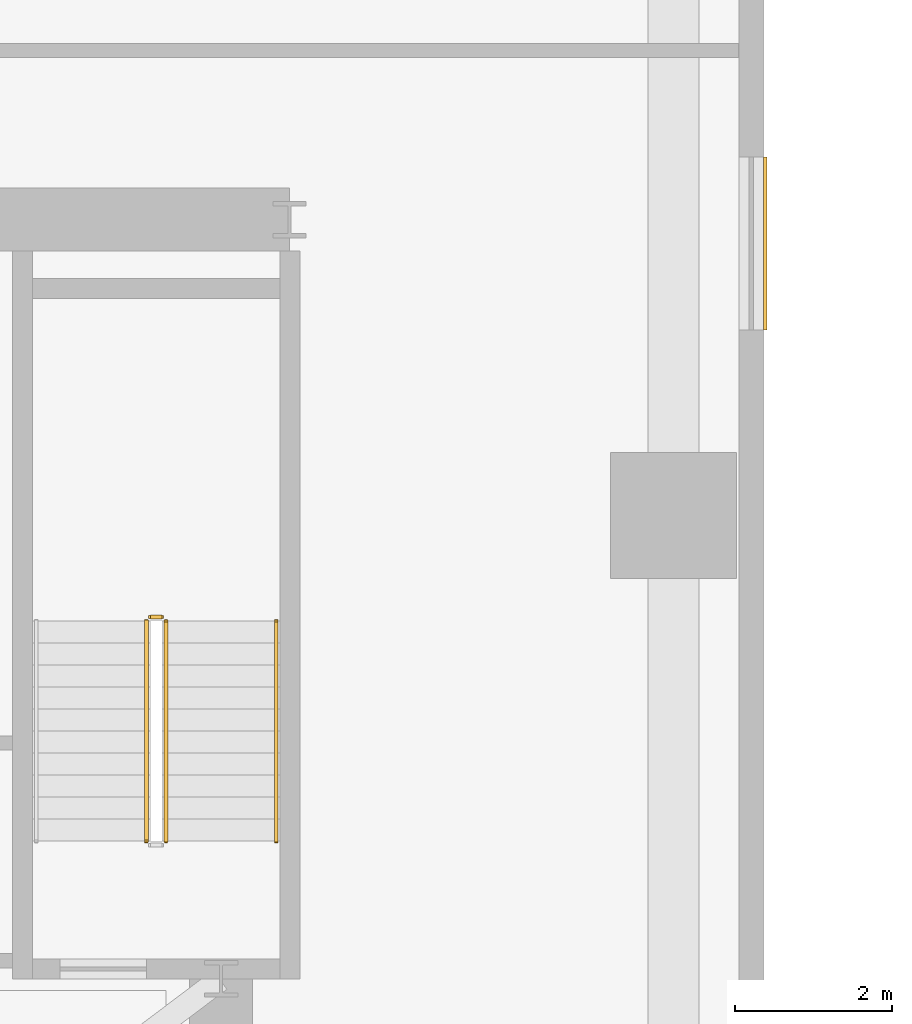
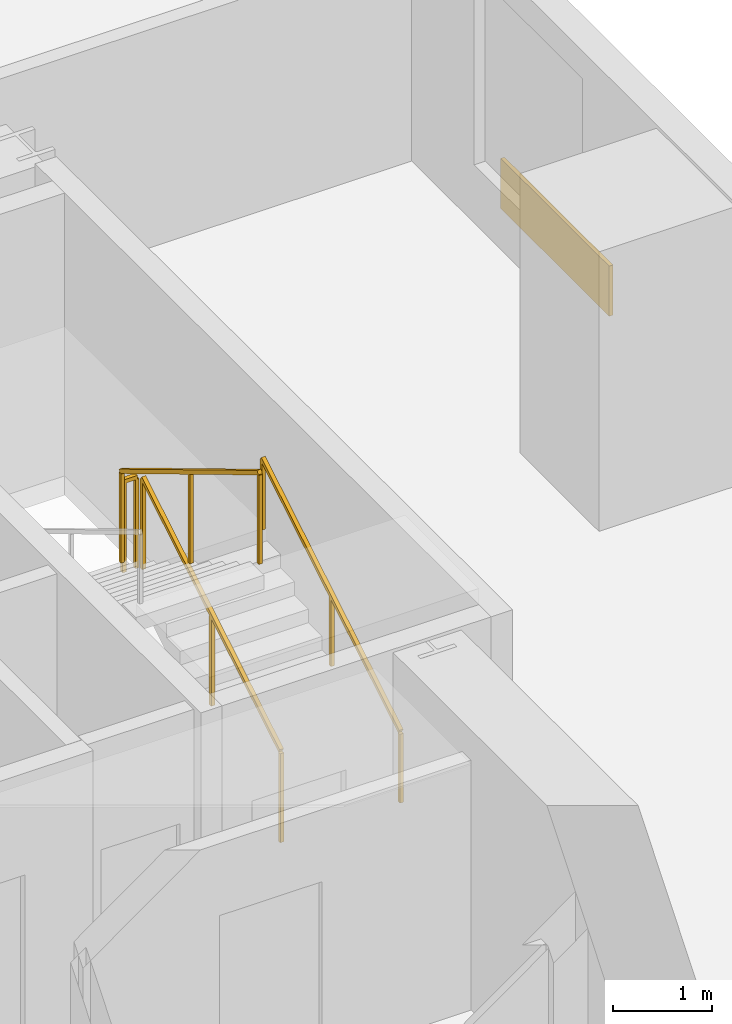
# One storey, part 14 of 14: 4 railings, 1 covering.
"""IFC4 building model written with IfcOpenShell, lengths in metres."""

from ifc_helpers import new_model, si_unit, direction, frame, origin, origin_2d, place, context, subcontext, project, spatial, rectangle, extrude, source, transform, mapped, material, layer, layer_set, type_object, element, save


model = new_model("IFC4")

# Units and contexts
model_context = context("Model", 3, precision=1e-05, world=origin(), true_north=direction((0.0, 1.0)))
body_context = subcontext(model_context, "Body", "Model", "MODEL_VIEW")
ifc_project = project(units=[si_unit("LENGTHUNIT", "METRE"), si_unit("AREAUNIT", "SQUARE_METRE"), si_unit("VOLUMEUNIT", "CUBIC_METRE"), si_unit("PLANEANGLEUNIT", "RADIAN"), si_unit("MASSUNIT", "GRAM", prefix="KILO")], contexts=[model_context])

# Site, building, storey
site_placement = place(None, origin())
site = spatial("IfcSite", under=ifc_project, at=site_placement, CompositionType="ELEMENT")
building_placement = place(site_placement, origin())
building = spatial("IfcBuilding", under=site, at=building_placement, Name="Vardaveli Station Tower", CompositionType="ELEMENT")
storey_placement = place(building_placement, frame((0.0, 0.0, 152.0)))
storey = spatial("IfcBuildingStorey", under=building, at=storey_placement, Name="L39", CompositionType="ELEMENT", Elevation=152.0)

# Covering
ifc_material_1 = material(Name="Ventilated honed travertine stone cladding", Category="masonry")
ifc_layer = layer(ifc_material_1, 0.044921875, Name="Ventilated honed travertine stone cladding")
ifc_layer_set = layer_set([ifc_layer], Name="Ventilated honed travertine stone cladding")
covering_type = type_object("IfcCoveringType", Name="COV-CLAD-TR45", PredefinedType="CLADDING", material=ifc_layer_set)
shared_shape_1 = source(origin(), body_context, "Body", "SweptSolid", [
    extrude(rectangle(XDim=2.199951171875, YDim=0.044921875, at=origin_2d()), origin(), (0.0, 0.0, 1.0), 0.6201171875),
])
covering_placement = place(storey_placement, frame((53.41455078125, 39.9951171875, 0.06982421875), z_axis=(0.0, 0.0, 1.0), x_axis=(0.0, 1.0, 0.0)))
element("IfcCovering", 1, at=covering_placement, inside=storey, type_object=covering_type, Name="CLD-TR-L39-E", PredefinedType="CLADDING", context=body_context, shape_type="MappedRepresentation", body=[
    mapped(shared_shape_1, transform((0.0, 0.0, 0.0), scale=1.0)),
])

# Railings
ifc_material_2 = material(Name="Brushed AISI 316 stainless steel", Category="steel")
railing_type_1 = type_object("IfcRailingType", Name="RL-GUARD-1150", PredefinedType="GUARDRAIL", material=ifc_material_2)
shared_shape_2 = source(origin(), body_context, "Body", "SweptSolid", [
    extrude(rectangle(XDim=0.048095703125, YDim=0.048095703125, at=origin_2d()), frame((0.0, 0.0, 1.1259765625), z_axis=(-1.0, 0.0, 0.0), x_axis=(0.0, -1.0, 0.0)), (0.0, 0.0, 1.0), 0.14990234375),
    extrude(rectangle(XDim=0.0419921875, YDim=0.0419921875, at=origin_2d()), origin(), (0.0, 0.0, 1.0), 1.101806640625),
    extrude(rectangle(XDim=0.0419921875, YDim=0.0419921875, at=origin_2d()), frame((-0.14990234375, 0.0, 0.0)), (0.0, 0.0, 1.0), 1.101806640625),
])
railing_1_placement = place(storey_placement, frame((45.75, 35.25, 1.85009765625)))
element("IfcRailing", 2, at=railing_1_placement, inside=storey, type_object=railing_type_1, Name="L39 ST-3 stair guard 2", PredefinedType="GUARDRAIL", context=body_context, shape_type="MappedRepresentation", body=[
    mapped(shared_shape_2, transform((0.0, 0.0, 0.0), scale=1.0)),
])
shared_shape_3 = source(origin(), body_context, "Body", "SweptSolid", [
    extrude(rectangle(XDim=0.048095703125, YDim=0.048095703125, at=origin_2d()), frame((0.0, 0.0, 1.1259765625), z_axis=(0.0, -0.857242210791, 0.514913383045), x_axis=(1.0, 0.0, 0.0)), (0.0, 0.0, 1.0), 3.266357421875),
    extrude(rectangle(XDim=0.0419921875, YDim=0.0419921875, at=origin_2d()), origin(), (0.0, 0.0, 1.0), 1.101806640625),
    extrude(rectangle(XDim=0.0419921875, YDim=0.0419921875, at=origin_2d()), frame((0.0, -1.39990234375, 0.8408203125)), (0.0, 0.0, 1.0), 1.101806640625),
    extrude(rectangle(XDim=0.0419921875, YDim=0.0419921875, at=origin_2d()), frame((0.0, -2.800048828125, 1.681884765625)), (0.0, 0.0, 1.0), 1.101806640625),
])
railing_2_placement = place(storey_placement, frame((45.550048828125, 35.199951171875, 2.01806640625)))
element("IfcRailing", 3, at=railing_2_placement, inside=storey, type_object=railing_type_1, Name="L39 ST-3 stair guard 3", PredefinedType="GUARDRAIL", context=body_context, shape_type="MappedRepresentation", body=[
    mapped(shared_shape_3, transform((0.0, 0.0, 0.0), scale=1.0)),
])
shared_shape_4 = source(origin(), body_context, "Body", "SweptSolid", [
    extrude(rectangle(XDim=0.048095703125, YDim=0.048095703125, at=origin_2d()), frame((0.0, 0.0, 1.1259765625), z_axis=(0.0, 0.857242210791, 0.514913383045), x_axis=(-1.0, 0.0, 0.0)), (0.0, 0.0, 1.0), 3.266357421875),
    extrude(rectangle(XDim=0.0419921875, YDim=0.0419921875, at=origin_2d()), origin(), (0.0, 0.0, 1.0), 1.101806640625),
    extrude(rectangle(XDim=0.0419921875, YDim=0.0419921875, at=origin_2d()), frame((0.0, 1.39990234375, 0.8408203125)), (0.0, 0.0, 1.0), 1.101806640625),
    extrude(rectangle(XDim=0.0419921875, YDim=0.0419921875, at=origin_2d()), frame((0.0, 2.800048828125, 1.681884765625)), (0.0, 0.0, 1.0), 1.101806640625),
])
railing_3_placement = place(storey_placement, frame((45.800048828125, 32.39990234375, 0.168212890625)))
element("IfcRailing", 4, at=railing_3_placement, inside=storey, type_object=railing_type_1, Name="L39 ST-3 stair guard 1", PredefinedType="GUARDRAIL", context=body_context, shape_type="MappedRepresentation", body=[
    mapped(shared_shape_4, transform((0.0, 0.0, 0.0), scale=1.0)),
])
railing_type_2 = type_object("IfcRailingType", Name="RL-HAND-900", PredefinedType="HANDRAIL", material=ifc_material_2)
shared_shape_5 = source(origin(), body_context, "Body", "SweptSolid", [
    extrude(rectangle(XDim=0.048095703125, YDim=0.048095703125, at=origin_2d()), frame((0.0, 0.0, 0.8759765625), z_axis=(0.0, 0.857242210791, 0.514913383045), x_axis=(-1.0, 0.0, 0.0)), (0.0, 0.0, 1.0), 3.266357421875),
    extrude(rectangle(XDim=0.0419921875, YDim=0.0419921875, at=origin_2d()), origin(), (0.0, 0.0, 1.0), 0.851806640625),
    extrude(rectangle(XDim=0.0419921875, YDim=0.0419921875, at=origin_2d()), frame((0.0, 1.39990234375, 0.8408203125)), (0.0, 0.0, 1.0), 0.851806640625),
    extrude(rectangle(XDim=0.0419921875, YDim=0.0419921875, at=origin_2d()), frame((0.0, 2.800048828125, 1.681884765625)), (0.0, 0.0, 1.0), 0.851806640625),
])
railing_4_placement = place(storey_placement, frame((47.199951171875, 32.39990234375, 0.168212890625)))
element("IfcRailing", 5, at=railing_4_placement, inside=storey, type_object=railing_type_2, Name="L39 ST-3 stair handrail 1", PredefinedType="HANDRAIL", context=body_context, shape_type="MappedRepresentation", body=[
    mapped(shared_shape_5, transform((0.0, 0.0, 0.0), scale=1.0)),
])

save(model, "model.ifc")
